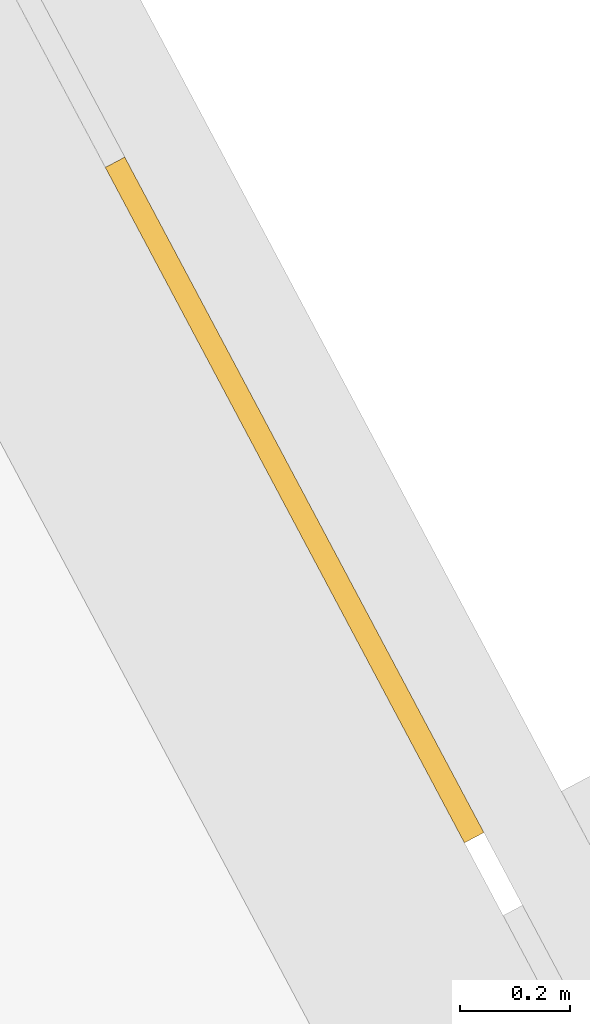
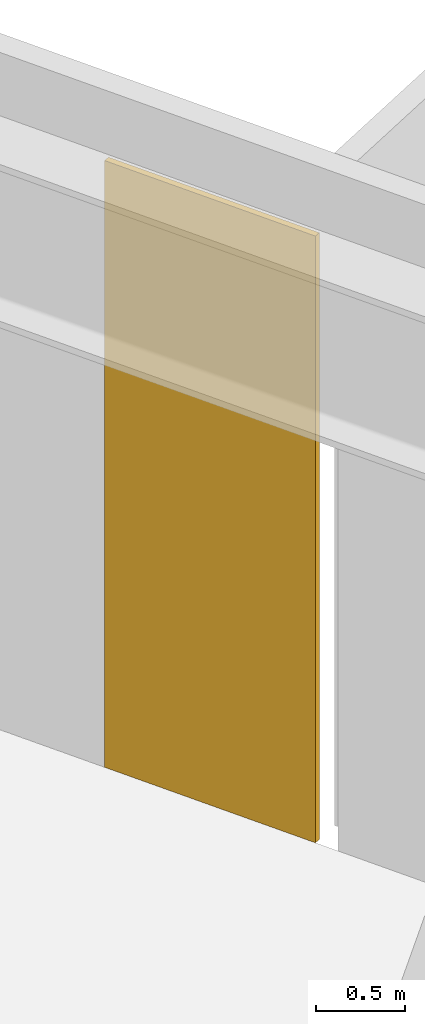
# One storey, part 32 of 32: 1 covering, 1 element without a shape of its own.
"""IFC4 building model written with IfcOpenShell, lengths in metres."""

from ifc_helpers import new_model, si_unit, direction, frame, origin, origin_2d, place, context, subcontext, project, spatial, rectangle, extrude, material, layer, layer_set, type_object, element, aggregate, save


model = new_model("IFC4")

# Units and contexts
model_context = context("Model", 3, precision=1e-05, world=origin(), true_north=direction((0.0, 1.0)))
body_context = subcontext(model_context, "Body", "Model", "MODEL_VIEW")
ifc_project = project(units=[si_unit("LENGTHUNIT", "METRE"), si_unit("AREAUNIT", "SQUARE_METRE"), si_unit("VOLUMEUNIT", "CUBIC_METRE"), si_unit("PLANEANGLEUNIT", "RADIAN"), si_unit("MASSUNIT", "GRAM", prefix="KILO")], contexts=[model_context])

# Site, building, storey
site_placement = place(None, origin())
site = spatial("IfcSite", under=ifc_project, at=site_placement, CompositionType="ELEMENT")
building_placement = place(site_placement, origin())
building = spatial("IfcBuilding", under=site, at=building_placement, Name="Cormorant Relay Tower", CompositionType="ELEMENT")
storey_placement = place(building_placement, frame((0.0, 0.0, 70.800048828125)))
storey = spatial("IfcBuildingStorey", under=building, at=storey_placement, Name="L13", CompositionType="ELEMENT", Elevation=70.800048828125)

# Curtain wall, covering
ifc_material_1 = material(Name="Aluminium 6063-T6 anodised bronze", Category="aluminium")
ifc_layer_1 = layer(ifc_material_1, 0.199951171875)
ifc_layer_set_1 = layer_set([ifc_layer_1], Name="CW1 unitised bronze curtain wall with vertical fins")
curtain_wall_type = type_object("IfcCurtainWallType", Name="CW1 unitised bronze curtain wall with vertical fins", PredefinedType="NOTDEFINED", material=ifc_layer_set_1)
curtain_wall_placement = place(storey_placement, origin())
curtain_wall = element("IfcCurtainWall", 1, at=curtain_wall_placement, inside=storey, type_object=curtain_wall_type, Name="CW1 curtain wall 4", PredefinedType="NOTDEFINED")
ifc_material_2 = material(Name="Pale bronze anodised aluminium insulated panel", Category="aluminium")
ifc_layer_2 = layer(ifc_material_2, 0.0400390625)
ifc_layer_set_2 = layer_set([ifc_layer_2], Name="CW1 pale bronze insulated panel 40")
covering_type = type_object("IfcCoveringType", Name="CW1 pale bronze insulated panel 40", PredefinedType="CLADDING", material=ifc_layer_set_2)
covering_placement = place(storey_placement, frame((66.849365234375, 27.68115234375, 0.0), z_axis=(0.0, 0.0, 1.0), x_axis=(-0.469471562786, 0.882947592859, 0.0)))
covering = element("IfcCovering", 2, at=covering_placement, type_object=covering_type, Name="CW1 panel S01", PredefinedType="CLADDING", context=body_context, shape_type="SweptSolid", body=[
    extrude(rectangle(XDim=1.392822265625, YDim=0.0400390625, at=origin_2d()), origin(), (0.0, 0.0, 1.0), 4.14990234375),
])
aggregate(curtain_wall, [covering])

save(model, "model.ifc")
